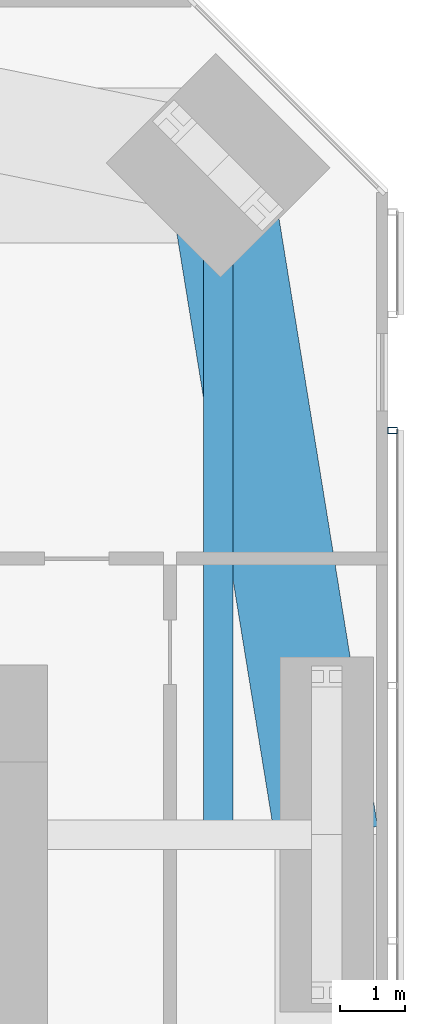
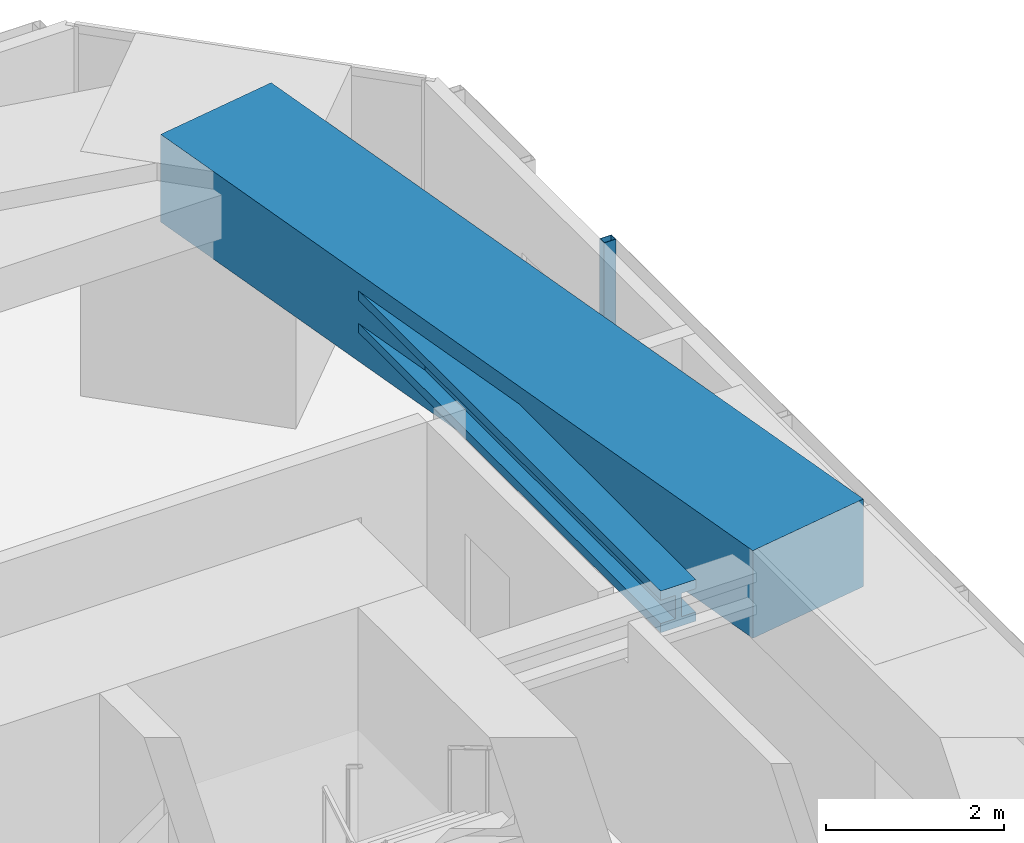
# One storey, part 11 of 24: 2 beams, 1 member, 1 element without a shape of its own.
"""IFC4 building model written with IfcOpenShell, lengths in metres."""

from ifc_helpers import new_model, si_unit, direction, frame, origin, origin_2d, place, context, subcontext, project, spatial, rectangle, hollow_rectangle, i_section, extrude, material, material_profile, profile_set, type_object, element, aggregate, save


model = new_model("IFC4")

# Units and contexts
model_context = context("Model", 3, precision=1e-05, world=origin(), true_north=direction((0.0, 1.0)))
body_context = subcontext(model_context, "Body", "Model", "MODEL_VIEW")
ifc_project = project(units=[si_unit("LENGTHUNIT", "METRE"), si_unit("AREAUNIT", "SQUARE_METRE"), si_unit("VOLUMEUNIT", "CUBIC_METRE"), si_unit("PLANEANGLEUNIT", "RADIAN"), si_unit("MASSUNIT", "GRAM", prefix="KILO")], contexts=[model_context])

# Site, building, storey
site_placement = place(None, origin())
site = spatial("IfcSite", under=ifc_project, at=site_placement, CompositionType="ELEMENT")
building_placement = place(site_placement, origin())
building = spatial("IfcBuilding", under=site, at=building_placement, Name="Jalousie Tower", CompositionType="ELEMENT")
storey_placement = place(building_placement, frame((0.0, 0.0, 135.0)))
storey = spatial("IfcBuildingStorey", under=building, at=storey_placement, Name="L37", CompositionType="ELEMENT", Elevation=135.0)

# Beams
ifc_material_1 = material(Name="Steel ASTM A992 Grade 50", Category="steel")
ifc_material_profile_1 = material_profile(ifc_material_1, i_section(OverallWidth=0.45458984375, OverallDepth=0.569091796875, WebThickness=0.077880859375, FlangeThickness=0.124755859375, at=origin_2d()), Name="W14X730")
ifc_profile_set_1 = profile_set([ifc_material_profile_1], Name="Steel ASTM A992 Grade 50")
beam_type_1 = type_object("IfcBeamType", Name="LEAN COLLECTOR W14X730", PredefinedType="BEAM", material=ifc_profile_set_1)
beam_1_placement = place(storey_placement, frame((46.86865234375, 35.36865234375, 2.825439453125), z_axis=(0.0, -1.0, 0.0), x_axis=(1.0, 0.0, 0.0)))
element("IfcBeam", 1, at=beam_1_placement, inside=storey, type_object=beam_type_1, Name="Lean collector under L38", PredefinedType="BEAM", context=body_context, shape_type="SweptSolid", body=[
    extrude(i_section(OverallWidth=0.45458984375, OverallDepth=0.569091796875, WebThickness=0.077880859375, FlangeThickness=0.124755859375, at=origin_2d()), origin(), (0.0, 0.0, 1.0), 10.36865234375),
])
ifc_material_2 = material(Name="Concrete f'c 40 MPa", Category="concrete")
ifc_material_profile_2 = material_profile(ifc_material_2, rectangle(XDim=1.60009765625, YDim=1.199951171875, at=origin_2d()), Name="RC 1600x1200")
ifc_profile_set_2 = profile_set([ifc_material_profile_2], Name="Concrete f'c 40 MPa")
beam_type_2 = type_object("IfcBeamType", Name="RC BEAM 1600x1200", PredefinedType="BEAM", material=ifc_profile_set_2)
beam_2_placement = place(storey_placement, frame((48.550048828125, 25.0, 2.75), z_axis=(-0.160070546476, 0.987105577003, 0.0), x_axis=(-0.987105577003, -0.160070546476, 0.0)))
element("IfcBeam", 2, at=beam_2_placement, inside=storey, type_object=beam_type_2, Name="Edge band beam 07-08 under L38", PredefinedType="BEAM", context=body_context, shape_type="SweptSolid", body=[
    extrude(rectangle(XDim=1.60009765625, YDim=1.199951171875, at=origin_2d()), origin(), (0.0, 0.0, 1.0), 10.504150390625),
])

# Curtain wall, member
ifc_material_3 = material(Name="Perforated aluminium sheet", Category="aluminium")
curtain_wall_type = type_object("IfcCurtainWallType", Name="SOLAR SCREEN SS-1", PredefinedType="USERDEFINED", material=ifc_material_3)
curtain_wall_placement = place(storey_placement, origin())
curtain_wall = element("IfcCurtainWall", 3, at=curtain_wall_placement, inside=storey, type_object=curtain_wall_type, Name="Solar screen L37", ObjectType="SOLAR SCREEN SS-1", PredefinedType="USERDEFINED")
ifc_material_4 = material(Name="Steel ASTM A500 Grade C", Category="steel")
ifc_material_profile_3 = material_profile(ifc_material_4, hollow_rectangle(XDim=0.1015625, YDim=0.15234375, WallThickness=0.00634765625, at=origin_2d()), Name="HSS6X4X1/4")
ifc_profile_set_3 = profile_set([ifc_material_profile_3], Name="Steel ASTM A500 Grade C")
member_type = type_object("IfcMemberType", Name="SOLAR SCREEN SS-1 MULLION", PredefinedType="MULLION", material=ifc_profile_set_3)
member_placement = place(storey_placement, frame((49.5712890625, 31.261962890625, -0.1201171875), z_axis=(0.0, 0.0, 1.0), x_axis=(0.0, 1.0, 0.0)))
member = element("IfcMember", 4, at=member_placement, type_object=member_type, Name="SS1 post 4", PredefinedType="MULLION", context=body_context, shape_type="SweptSolid", body=[
    extrude(hollow_rectangle(XDim=0.1015625, YDim=0.15234375, WallThickness=0.00634765625, at=origin_2d()), origin(), (0.0, 0.0, 1.0), 3.230224609375),
])
aggregate(curtain_wall, [member])

save(model, "model.ifc")
